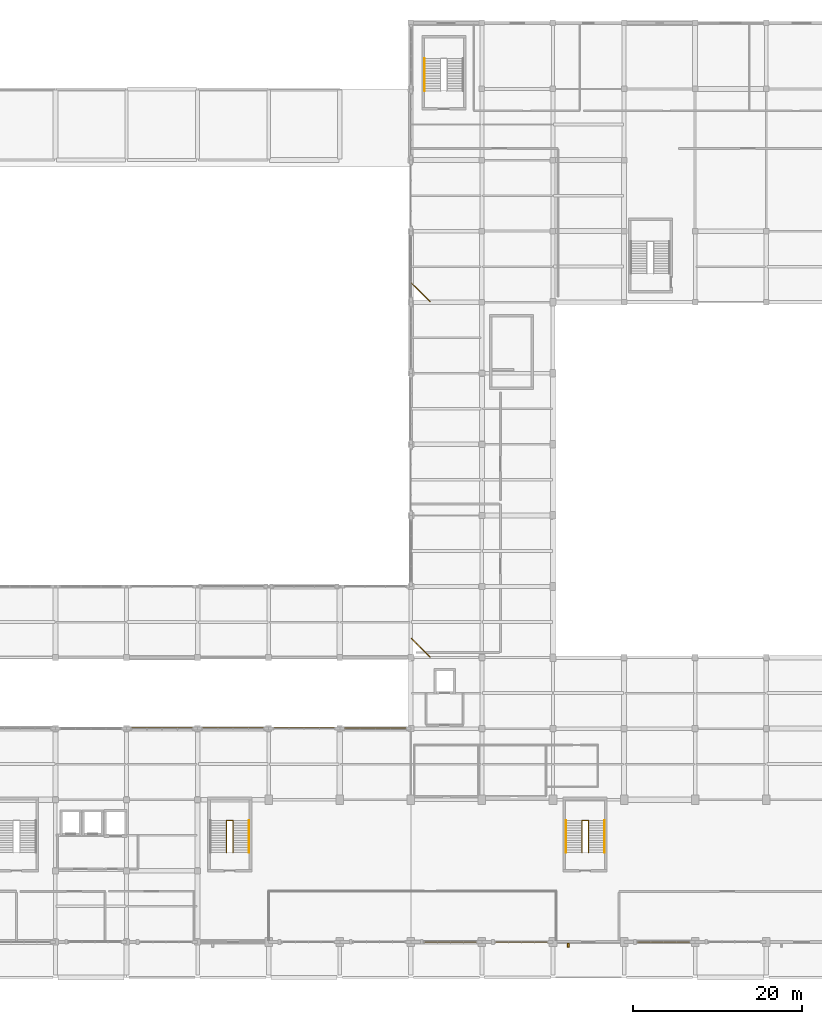
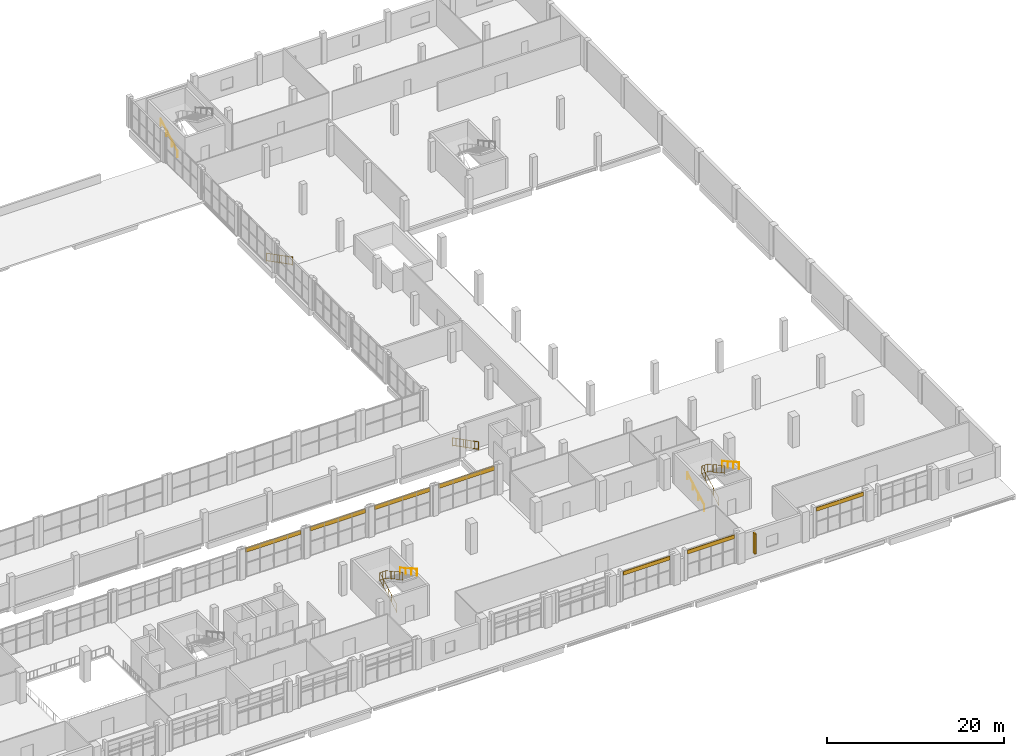
# One storey, part 58 of 59: 8 railings, 5 shading devices, 3 coverings.
"""IFC4 building model written with IfcOpenShell, lengths in metres."""

from ifc_helpers import new_model, si_unit, derived_unit, direction, frame, origin, origin_2d, place, context, subcontext, project, spatial, rectangle, circle, extrude, material, layer, layer_set, type_object, element, save


model = new_model("IFC4")

# Units and contexts
model_context = context("Model", 3, precision=1e-05, world=origin(), true_north=direction((0.0, 1.0)))
body_context = subcontext(model_context, "Body", "Model", "MODEL_VIEW")
ifc_project = project(units=[si_unit("LENGTHUNIT", "METRE"), si_unit("AREAUNIT", "SQUARE_METRE"), si_unit("VOLUMEUNIT", "CUBIC_METRE"), si_unit("PLANEANGLEUNIT", "RADIAN"), si_unit("MASSUNIT", "GRAM", prefix="KILO"), derived_unit("THERMALTRANSMITTANCEUNIT", [(si_unit("POWERUNIT", "WATT"), 1), (si_unit("LENGTHUNIT", "METRE"), -2), (si_unit("THERMODYNAMICTEMPERATUREUNIT", "KELVIN"), -1)])], contexts=[model_context])

# Site, building, storey
site_placement = place(None, origin())
site = spatial("IfcSite", under=ifc_project, at=site_placement, CompositionType="ELEMENT")
building_placement = place(site_placement, origin())
building = spatial("IfcBuilding", under=site, at=building_placement, Name="Barrovel Congress Hotel", CompositionType="ELEMENT")
storey_placement = place(building_placement, frame((0.0, 0.0, 9.89990234375)))
storey = spatial("IfcBuildingStorey", under=building, at=storey_placement, Name="L02", CompositionType="ELEMENT", Elevation=9.89990234375)

# Coverings
ifc_material_1 = material(Name="Glazed Terracotta Spandrel", Category="masonry")
ifc_layer_1 = layer(ifc_material_1, 0.1201171875)
ifc_layer_set_1 = layer_set([ifc_layer_1], Name="Glazed Terracotta Spandrel")
covering_type = type_object("IfcCoveringType", Name="COV-CLAD-TERRA", PredefinedType="CLADDING", material=ifc_layer_set_1)
for number, where, z_axis, x_axis, name in (
    (1, (130.679931640625, 4.14990234375, 3.41015625), (0.0, 0.0, 1.0), (1.0, 0.0, 0.0), "CLAD:L02:S:15"),
    (2, (139.080078125, 4.14990234375, 3.41015625), (0.0, 0.0, 1.0), (1.0, 0.0, 0.0), "CLAD:L02:S:16"),
    (3, (155.8798828125, 4.14990234375, 3.41015625), (0.0, 0.0, 1.0), (1.0, 0.0, 0.0), "CLAD:L02:S:18"),
):
    element("IfcCovering", number, at=place(storey_placement, frame(where, z_axis=z_axis, x_axis=x_axis)), inside=storey, type_object=covering_type, Name=name, PredefinedType="CLADDING", context=body_context, shape_type="SweptSolid", body=[
        extrude(rectangle(XDim=6.1201171875, YDim=0.1201171875, at=origin_2d()), origin(), (0.0, 0.0, 1.0), 0.52001953125),
    ])

# Railings
ifc_material_2 = material(Name="Painted Architectural Steel", Category="steel")
ifc_layer_2 = layer(ifc_material_2, 0.070068359375)
ifc_layer_set_2 = layer_set([ifc_layer_2], Name="Painted Architectural Steel")
railing_type_1 = type_object("IfcRailingType", Name="RAIL-GUARD-INT", PredefinedType="BALUSTRADE", material=ifc_layer_set_2)
railing_1_placement = place(storey_placement, frame((104.219970703125, 14.739990234375, 0.0)))
element("IfcRailing", 4, at=railing_1_placement, inside=storey, type_object=railing_type_1, Name="STAIR:XS-03:L02:GR-W", PredefinedType="BALUSTRADE", context=body_context, shape_type="SweptSolid", body=[
    extrude(circle(Radius=0.02392578125, at=origin_2d()), frame((0.0, 0.0, 1.11572265625), z_axis=(0.0, 0.875497377122, 0.483222870581), x_axis=(-1.0, 0.0, 0.0)), (0.0, 0.0, 1.0), 4.345947265625),
    extrude(circle(Radius=0.02392578125, at=origin_2d()), frame((0.0, 0.0, 0.10009765625), z_axis=(0.0, 0.875497377122, 0.483222870581), x_axis=(-1.0, 0.0, 0.0)), (0.0, 0.0, 1.0), 4.345947265625),
    extrude(circle(Radius=0.010009765625, at=origin_2d()), frame((0.0, 0.38037109375, 0.31005859375)), (0.0, 0.0, 1.0), 0.99169921875),
    extrude(circle(Radius=0.010009765625, at=origin_2d()), frame((0.0, 0.760986328125, 0.52001953125)), (0.0, 0.0, 1.0), 0.99169921875),
    extrude(circle(Radius=0.010009765625, at=origin_2d()), frame((0.0, 1.1416015625, 0.72998046875)), (0.0, 0.0, 1.0), 0.99169921875),
    extrude(circle(Radius=0.010009765625, at=origin_2d()), frame((0.0, 1.52197265625, 0.93994140625)), (0.0, 0.0, 1.0), 0.99169921875),
    extrude(circle(Radius=0.010009765625, at=origin_2d()), frame((0.0, 1.90234375, 1.150146484375)), (0.0, 0.0, 1.0), 0.99169921875),
    extrude(circle(Radius=0.010009765625, at=origin_2d()), frame((0.0, 2.282958984375, 1.360107421875)), (0.0, 0.0, 1.0), 0.99169921875),
    extrude(circle(Radius=0.010009765625, at=origin_2d()), frame((0.0, 2.66357421875, 1.570068359375)), (0.0, 0.0, 1.0), 0.99169921875),
    extrude(circle(Radius=0.010009765625, at=origin_2d()), frame((0.0, 3.0439453125, 1.780029296875)), (0.0, 0.0, 1.0), 0.99169921875),
    extrude(circle(Radius=0.010009765625, at=origin_2d()), frame((0.0, 3.42431640625, 1.989990234375)), (0.0, 0.0, 1.0), 0.99169921875),
    extrude(circle(Radius=0.02392578125, at=origin_2d()), frame((0.0, 3.804931640625, 3.2158203125), z_axis=(1.0, 0.0, 0.0), x_axis=(0.0, 1.0, 0.0)), (0.0, 0.0, 1.0), 0.760009765625),
    extrude(circle(Radius=0.02392578125, at=origin_2d()), frame((0.0, 3.804931640625, 2.2001953125), z_axis=(1.0, 0.0, 0.0), x_axis=(0.0, 1.0, 0.0)), (0.0, 0.0, 1.0), 0.760009765625),
    extrude(circle(Radius=0.010009765625, at=origin_2d()), frame((0.3798828125, 3.804931640625, 2.2001953125)), (0.0, 0.0, 1.0), 0.99169921875),
    extrude(circle(Radius=0.02392578125, at=origin_2d()), frame((0.760009765625, 3.804931640625, 3.2158203125), z_axis=(0.0, -0.875497377122, 0.483222870581), x_axis=(1.0, 0.0, 0.0)), (0.0, 0.0, 1.0), 4.345947265625),
    extrude(circle(Radius=0.02392578125, at=origin_2d()), frame((0.760009765625, 3.804931640625, 2.2001953125), z_axis=(0.0, -0.875497377122, 0.483222870581), x_axis=(1.0, 0.0, 0.0)), (0.0, 0.0, 1.0), 4.345947265625),
    extrude(circle(Radius=0.010009765625, at=origin_2d()), frame((0.760009765625, 3.42431640625, 2.41015625)), (0.0, 0.0, 1.0), 0.99169921875),
    extrude(circle(Radius=0.010009765625, at=origin_2d()), frame((0.760009765625, 3.0439453125, 2.6201171875)), (0.0, 0.0, 1.0), 0.99169921875),
    extrude(circle(Radius=0.010009765625, at=origin_2d()), frame((0.760009765625, 2.66357421875, 2.830078125)), (0.0, 0.0, 1.0), 0.99169921875),
    extrude(circle(Radius=0.010009765625, at=origin_2d()), frame((0.760009765625, 2.282958984375, 3.0400390625)), (0.0, 0.0, 1.0), 0.99169921875),
    extrude(circle(Radius=0.010009765625, at=origin_2d()), frame((0.760009765625, 1.90234375, 3.250244140625)), (0.0, 0.0, 1.0), 0.99169921875),
    extrude(circle(Radius=0.010009765625, at=origin_2d()), frame((0.760009765625, 1.52197265625, 3.460205078125)), (0.0, 0.0, 1.0), 0.99169921875),
    extrude(circle(Radius=0.010009765625, at=origin_2d()), frame((0.760009765625, 1.1416015625, 3.670166015625)), (0.0, 0.0, 1.0), 0.99169921875),
    extrude(circle(Radius=0.010009765625, at=origin_2d()), frame((0.760009765625, 0.760986328125, 3.880126953125)), (0.0, 0.0, 1.0), 0.99169921875),
    extrude(circle(Radius=0.010009765625, at=origin_2d()), frame((0.760009765625, 0.38037109375, 4.090087890625)), (0.0, 0.0, 1.0), 0.99169921875),
    extrude(circle(Radius=0.02099609375, at=origin_2d()), origin(), (0.0, 0.0, 1.0), 1.091796875),
    extrude(circle(Radius=0.02099609375, at=origin_2d()), frame((0.0, 1.268310546875, 0.699951171875)), (0.0, 0.0, 1.0), 1.091796875),
    extrude(circle(Radius=0.02099609375, at=origin_2d()), frame((0.0, 2.53662109375, 1.400146484375)), (0.0, 0.0, 1.0), 1.091796875),
    extrude(circle(Radius=0.02099609375, at=origin_2d()), frame((0.0, 3.804931640625, 2.10009765625)), (0.0, 0.0, 1.0), 1.091796875),
    extrude(circle(Radius=0.02099609375, at=origin_2d()), frame((0.760009765625, 3.804931640625, 2.10009765625)), (0.0, 0.0, 1.0), 1.091796875),
    extrude(circle(Radius=0.02099609375, at=origin_2d()), frame((0.760009765625, 2.53662109375, 2.800048828125)), (0.0, 0.0, 1.0), 1.091796875),
    extrude(circle(Radius=0.02099609375, at=origin_2d()), frame((0.760009765625, 1.268310546875, 3.500244140625)), (0.0, 0.0, 1.0), 1.091796875),
    extrude(circle(Radius=0.02099609375, at=origin_2d()), frame((0.760009765625, 0.0, 4.2001953125)), (0.0, 0.0, 1.0), 1.091796875),
])
railing_2_placement = place(storey_placement, frame((146.219970703125, 14.739990234375, 0.0)))
element("IfcRailing", 5, at=railing_2_placement, inside=storey, type_object=railing_type_1, Name="STAIR:XS-04:L02:GR-W", PredefinedType="BALUSTRADE", context=body_context, shape_type="SweptSolid", body=[
    extrude(circle(Radius=0.02392578125, at=origin_2d()), frame((0.0, 0.0, 1.11572265625), z_axis=(0.0, 0.875497377122, 0.483222870581), x_axis=(-1.0, 0.0, 0.0)), (0.0, 0.0, 1.0), 4.345947265625),
    extrude(circle(Radius=0.02392578125, at=origin_2d()), frame((0.0, 0.0, 0.10009765625), z_axis=(0.0, 0.875497377122, 0.483222870581), x_axis=(-1.0, 0.0, 0.0)), (0.0, 0.0, 1.0), 4.345947265625),
    extrude(circle(Radius=0.010009765625, at=origin_2d()), frame((0.0, 0.38037109375, 0.31005859375)), (0.0, 0.0, 1.0), 0.99169921875),
    extrude(circle(Radius=0.010009765625, at=origin_2d()), frame((0.0, 0.760986328125, 0.52001953125)), (0.0, 0.0, 1.0), 0.99169921875),
    extrude(circle(Radius=0.010009765625, at=origin_2d()), frame((0.0, 1.1416015625, 0.72998046875)), (0.0, 0.0, 1.0), 0.99169921875),
    extrude(circle(Radius=0.010009765625, at=origin_2d()), frame((0.0, 1.52197265625, 0.93994140625)), (0.0, 0.0, 1.0), 0.99169921875),
    extrude(circle(Radius=0.010009765625, at=origin_2d()), frame((0.0, 1.90234375, 1.150146484375)), (0.0, 0.0, 1.0), 0.99169921875),
    extrude(circle(Radius=0.010009765625, at=origin_2d()), frame((0.0, 2.282958984375, 1.360107421875)), (0.0, 0.0, 1.0), 0.99169921875),
    extrude(circle(Radius=0.010009765625, at=origin_2d()), frame((0.0, 2.66357421875, 1.570068359375)), (0.0, 0.0, 1.0), 0.99169921875),
    extrude(circle(Radius=0.010009765625, at=origin_2d()), frame((0.0, 3.0439453125, 1.780029296875)), (0.0, 0.0, 1.0), 0.99169921875),
    extrude(circle(Radius=0.010009765625, at=origin_2d()), frame((0.0, 3.42431640625, 1.989990234375)), (0.0, 0.0, 1.0), 0.99169921875),
    extrude(circle(Radius=0.02392578125, at=origin_2d()), frame((0.0, 3.804931640625, 3.2158203125), z_axis=(1.0, 0.0, 0.0), x_axis=(0.0, 1.0, 0.0)), (0.0, 0.0, 1.0), 0.760009765625),
    extrude(circle(Radius=0.02392578125, at=origin_2d()), frame((0.0, 3.804931640625, 2.2001953125), z_axis=(1.0, 0.0, 0.0), x_axis=(0.0, 1.0, 0.0)), (0.0, 0.0, 1.0), 0.760009765625),
    extrude(circle(Radius=0.010009765625, at=origin_2d()), frame((0.3798828125, 3.804931640625, 2.2001953125)), (0.0, 0.0, 1.0), 0.99169921875),
    extrude(circle(Radius=0.02392578125, at=origin_2d()), frame((0.760009765625, 3.804931640625, 3.2158203125), z_axis=(0.0, -0.875497377122, 0.483222870581), x_axis=(1.0, 0.0, 0.0)), (0.0, 0.0, 1.0), 4.345947265625),
    extrude(circle(Radius=0.02392578125, at=origin_2d()), frame((0.760009765625, 3.804931640625, 2.2001953125), z_axis=(0.0, -0.875497377122, 0.483222870581), x_axis=(1.0, 0.0, 0.0)), (0.0, 0.0, 1.0), 4.345947265625),
    extrude(circle(Radius=0.010009765625, at=origin_2d()), frame((0.760009765625, 3.42431640625, 2.41015625)), (0.0, 0.0, 1.0), 0.99169921875),
    extrude(circle(Radius=0.010009765625, at=origin_2d()), frame((0.760009765625, 3.0439453125, 2.6201171875)), (0.0, 0.0, 1.0), 0.99169921875),
    extrude(circle(Radius=0.010009765625, at=origin_2d()), frame((0.760009765625, 2.66357421875, 2.830078125)), (0.0, 0.0, 1.0), 0.99169921875),
    extrude(circle(Radius=0.010009765625, at=origin_2d()), frame((0.760009765625, 2.282958984375, 3.0400390625)), (0.0, 0.0, 1.0), 0.99169921875),
    extrude(circle(Radius=0.010009765625, at=origin_2d()), frame((0.760009765625, 1.90234375, 3.250244140625)), (0.0, 0.0, 1.0), 0.99169921875),
    extrude(circle(Radius=0.010009765625, at=origin_2d()), frame((0.760009765625, 1.52197265625, 3.460205078125)), (0.0, 0.0, 1.0), 0.99169921875),
    extrude(circle(Radius=0.010009765625, at=origin_2d()), frame((0.760009765625, 1.1416015625, 3.670166015625)), (0.0, 0.0, 1.0), 0.99169921875),
    extrude(circle(Radius=0.010009765625, at=origin_2d()), frame((0.760009765625, 0.760986328125, 3.880126953125)), (0.0, 0.0, 1.0), 0.99169921875),
    extrude(circle(Radius=0.010009765625, at=origin_2d()), frame((0.760009765625, 0.38037109375, 4.090087890625)), (0.0, 0.0, 1.0), 0.99169921875),
    extrude(circle(Radius=0.02099609375, at=origin_2d()), origin(), (0.0, 0.0, 1.0), 1.091796875),
    extrude(circle(Radius=0.02099609375, at=origin_2d()), frame((0.0, 1.268310546875, 0.699951171875)), (0.0, 0.0, 1.0), 1.091796875),
    extrude(circle(Radius=0.02099609375, at=origin_2d()), frame((0.0, 2.53662109375, 1.400146484375)), (0.0, 0.0, 1.0), 1.091796875),
    extrude(circle(Radius=0.02099609375, at=origin_2d()), frame((0.0, 3.804931640625, 2.10009765625)), (0.0, 0.0, 1.0), 1.091796875),
    extrude(circle(Radius=0.02099609375, at=origin_2d()), frame((0.760009765625, 3.804931640625, 2.10009765625)), (0.0, 0.0, 1.0), 1.091796875),
    extrude(circle(Radius=0.02099609375, at=origin_2d()), frame((0.760009765625, 2.53662109375, 2.800048828125)), (0.0, 0.0, 1.0), 1.091796875),
    extrude(circle(Radius=0.02099609375, at=origin_2d()), frame((0.760009765625, 1.268310546875, 3.500244140625)), (0.0, 0.0, 1.0), 1.091796875),
    extrude(circle(Radius=0.02099609375, at=origin_2d()), frame((0.760009765625, 0.0, 4.2001953125)), (0.0, 0.0, 1.0), 1.091796875),
])
for number, where, name in (
    (6, (128.25, 37.8798828125, 0.0), "RAIL:L02:CG-SAL"),
    (7, (128.25, 79.8798828125, 0.0), "RAIL:L02:CG-SPA"),
):
    element("IfcRailing", number, at=place(storey_placement, frame(where)), inside=storey, type_object=railing_type_1, Name=name, PredefinedType="BALUSTRADE", context=body_context, shape_type="SweptSolid", body=[
        extrude(circle(Radius=0.02392578125, at=origin_2d()), frame((0.0, 0.0, 1.11572265625), z_axis=(-0.707067003571, 0.707146556564, 0.0), x_axis=(-0.707146556564, -0.707067003571, 0.0)), (0.0, 0.0, 1.0), 3.06884765625),
        extrude(circle(Radius=0.02392578125, at=origin_2d()), frame((0.0, 0.0, 0.10009765625), z_axis=(-0.707067003571, 0.707146556564, 0.0), x_axis=(-0.707146556564, -0.707067003571, 0.0)), (0.0, 0.0, 1.0), 3.06884765625),
        extrude(circle(Radius=0.010009765625, at=origin_2d()), frame((-0.31005859375, 0.31005859375, 0.10009765625)), (0.0, 0.0, 1.0), 0.99169921875),
        extrude(circle(Radius=0.010009765625, at=origin_2d()), frame((-0.619873046875, 0.6201171875, 0.10009765625)), (0.0, 0.0, 1.0), 0.99169921875),
        extrude(circle(Radius=0.010009765625, at=origin_2d()), frame((-0.929931640625, 0.93017578125, 0.10009765625)), (0.0, 0.0, 1.0), 0.99169921875),
        extrude(circle(Radius=0.010009765625, at=origin_2d()), frame((-1.239990234375, 1.239990234375, 0.10009765625)), (0.0, 0.0, 1.0), 0.99169921875),
        extrude(circle(Radius=0.010009765625, at=origin_2d()), frame((-1.550048828125, 1.550048828125, 0.10009765625)), (0.0, 0.0, 1.0), 0.99169921875),
        extrude(circle(Radius=0.010009765625, at=origin_2d()), frame((-1.85986328125, 1.860107421875, 0.10009765625)), (0.0, 0.0, 1.0), 0.99169921875),
        extrude(circle(Radius=0.02099609375, at=origin_2d()), origin(), (0.0, 0.0, 1.0), 1.091796875),
        extrude(circle(Radius=0.02099609375, at=origin_2d()), frame((-1.0849609375, 1.0849609375, 0.0)), (0.0, 0.0, 1.0), 1.091796875),
        extrude(circle(Radius=0.02099609375, at=origin_2d()), frame((-2.169921875, 2.170166015625, 0.0)), (0.0, 0.0, 1.0), 1.091796875),
    ])
ifc_material_3 = material(Name="Brushed Stainless Steel", Category="steel")
ifc_layer_3 = layer(ifc_material_3, 0.050048828125)
ifc_layer_set_3 = layer_set([ifc_layer_3], Name="Brushed Stainless Steel")
railing_type_2 = type_object("IfcRailingType", Name="RAIL-HAND", PredefinedType="HANDRAIL", material=ifc_layer_set_3)
railing_3_placement = place(storey_placement, frame((106.8798828125, 18.544921875, 2.10009765625)))
element("IfcRailing", 8, at=railing_3_placement, inside=storey, type_object=railing_type_2, Name="STAIR:XS-03:L02:HR-2", PredefinedType="HANDRAIL", context=body_context, shape_type="SweptSolid", body=[
    extrude(circle(Radius=0.02392578125, at=origin_2d()), frame((0.0, 0.0, 0.89599609375), z_axis=(0.0, -0.875497377122, 0.483222870581), x_axis=(1.0, 0.0, 0.0)), (0.0, 0.0, 1.0), 4.345947265625),
    extrude(circle(Radius=0.02099609375, at=origin_2d()), origin(), (0.0, 0.0, 1.0), 0.871826171875),
    extrude(circle(Radius=0.02099609375, at=origin_2d()), frame((0.0, -1.268310546875, 0.699951171875)), (0.0, 0.0, 1.0), 0.871826171875),
    extrude(circle(Radius=0.02099609375, at=origin_2d()), frame((0.0, -2.53662109375, 1.400146484375)), (0.0, 0.0, 1.0), 0.871826171875),
    extrude(circle(Radius=0.02099609375, at=origin_2d()), frame((0.0, -3.804931640625, 2.10009765625)), (0.0, 0.0, 1.0), 0.871826171875),
])
railing_4_placement = place(storey_placement, frame((144.320068359375, 14.739990234375, 0.0)))
element("IfcRailing", 9, at=railing_4_placement, inside=storey, type_object=railing_type_2, Name="STAIR:XS-04:L02:HR-1", PredefinedType="HANDRAIL", context=body_context, shape_type="SweptSolid", body=[
    extrude(circle(Radius=0.02392578125, at=origin_2d()), frame((0.0, 0.0, 0.89599609375), z_axis=(0.0, 0.875497377122, 0.483222870581), x_axis=(-1.0, 0.0, 0.0)), (0.0, 0.0, 1.0), 4.345947265625),
    extrude(circle(Radius=0.02099609375, at=origin_2d()), origin(), (0.0, 0.0, 1.0), 0.871826171875),
    extrude(circle(Radius=0.02099609375, at=origin_2d()), frame((0.0, 1.268310546875, 0.699951171875)), (0.0, 0.0, 1.0), 0.871826171875),
    extrude(circle(Radius=0.02099609375, at=origin_2d()), frame((0.0, 2.53662109375, 1.400146484375)), (0.0, 0.0, 1.0), 0.871826171875),
    extrude(circle(Radius=0.02099609375, at=origin_2d()), frame((0.0, 3.804931640625, 2.10009765625)), (0.0, 0.0, 1.0), 0.871826171875),
])
railing_5_placement = place(storey_placement, frame((148.8798828125, 18.544921875, 2.10009765625)))
element("IfcRailing", 10, at=railing_5_placement, inside=storey, type_object=railing_type_2, Name="STAIR:XS-04:L02:HR-2", PredefinedType="HANDRAIL", context=body_context, shape_type="SweptSolid", body=[
    extrude(circle(Radius=0.02392578125, at=origin_2d()), frame((0.0, 0.0, 0.89599609375), z_axis=(0.0, -0.875497377122, 0.483222870581), x_axis=(1.0, 0.0, 0.0)), (0.0, 0.0, 1.0), 4.345947265625),
    extrude(circle(Radius=0.02099609375, at=origin_2d()), origin(), (0.0, 0.0, 1.0), 0.871826171875),
    extrude(circle(Radius=0.02099609375, at=origin_2d()), frame((0.0, -1.268310546875, 0.699951171875)), (0.0, 0.0, 1.0), 0.871826171875),
    extrude(circle(Radius=0.02099609375, at=origin_2d()), frame((0.0, -2.53662109375, 1.400146484375)), (0.0, 0.0, 1.0), 0.871826171875),
    extrude(circle(Radius=0.02099609375, at=origin_2d()), frame((0.0, -3.804931640625, 2.10009765625)), (0.0, 0.0, 1.0), 0.871826171875),
])
railing_6_placement = place(storey_placement, frame((127.6201171875, 104.780029296875, 0.0)))
element("IfcRailing", 11, at=railing_6_placement, inside=storey, type_object=railing_type_2, Name="STAIR:XS-10:L02:HR-1", PredefinedType="HANDRAIL", context=body_context, shape_type="SweptSolid", body=[
    extrude(circle(Radius=0.02392578125, at=origin_2d()), frame((0.0, 0.0, 0.89599609375), z_axis=(0.0, 0.875497377122, 0.483222870581), x_axis=(-1.0, 0.0, 0.0)), (0.0, 0.0, 1.0), 4.345947265625),
    extrude(circle(Radius=0.02099609375, at=origin_2d()), origin(), (0.0, 0.0, 1.0), 0.871826171875),
    extrude(circle(Radius=0.02099609375, at=origin_2d()), frame((0.0, 1.268310546875, 0.699951171875)), (0.0, 0.0, 1.0), 0.871826171875),
    extrude(circle(Radius=0.02099609375, at=origin_2d()), frame((0.0, 2.53662109375, 1.400146484375)), (0.0, 0.0, 1.0), 0.871826171875),
    extrude(circle(Radius=0.02099609375, at=origin_2d()), frame((0.0, 3.804931640625, 2.10009765625)), (0.0, 0.0, 1.0), 0.871826171875),
])

# Shading devices
ifc_material_4 = material(Name="Extruded Terracotta Louvres", Category="masonry")
shading_device_type_1 = type_object("IfcShadingDeviceType", Name="SHD-CELOSIA", PredefinedType="JALOUSIE", material=ifc_material_4)
for number, where, z_axis, x_axis, name in (
    (12, (121.800048828125, 29.4599609375, 3.365234375), (0.0, 0.0, 1.0), (1.0, 0.0, 0.0), "CEL:L02:CS:14"),
    (13, (113.39990234375, 29.4599609375, 3.365234375), (0.0, 0.0, 1.0), (1.0, 0.0, 0.0), "CEL:L02:CS:13"),
    (14, (105.0, 29.4599609375, 3.365234375), (0.0, 0.0, 1.0), (1.0, 0.0, 0.0), "CEL:L02:CS:12"),
    (15, (96.60009765625, 29.4599609375, 3.365234375), (0.0, 0.0, 1.0), (1.0, 0.0, 0.0), "CEL:L02:CS:11"),
):
    element("IfcShadingDevice", number, at=place(storey_placement, frame(where, z_axis=z_axis, x_axis=x_axis)), inside=storey, type_object=shading_device_type_1, Name=name, PredefinedType="JALOUSIE", context=body_context, shape_type="SweptSolid", body=[
        extrude(rectangle(XDim=7.199951171875, YDim=0.179931640625, at=origin_2d()), origin(), (0.0, 0.0, 1.0), 0.550048828125),
    ])
ifc_material_5 = material(Name="Fired Clay Brick Masonry", Category="masonry")
shading_device_type_2 = type_object("IfcShadingDeviceType", Name="SHD-FIN", PredefinedType="USERDEFINED", material=ifc_material_5)
shading_device_placement = place(storey_placement, frame((144.60009765625, 3.820068359375, 0.7001953125), z_axis=(0.0, 0.0, 1.0), x_axis=(1.0, 0.0, 0.0)))
element("IfcShadingDevice", 16, at=shading_device_placement, inside=storey, type_object=shading_device_type_2, Name="FIN:L02:S:17", ObjectType="SOLAR FIN", PredefinedType="USERDEFINED", context=body_context, shape_type="SweptSolid", body=[
    extrude(rectangle(XDim=0.219970703125, YDim=0.449951171875, at=origin_2d()), origin(), (0.0, 0.0, 1.0), 2.800048828125),
])

save(model, "model.ifc")
